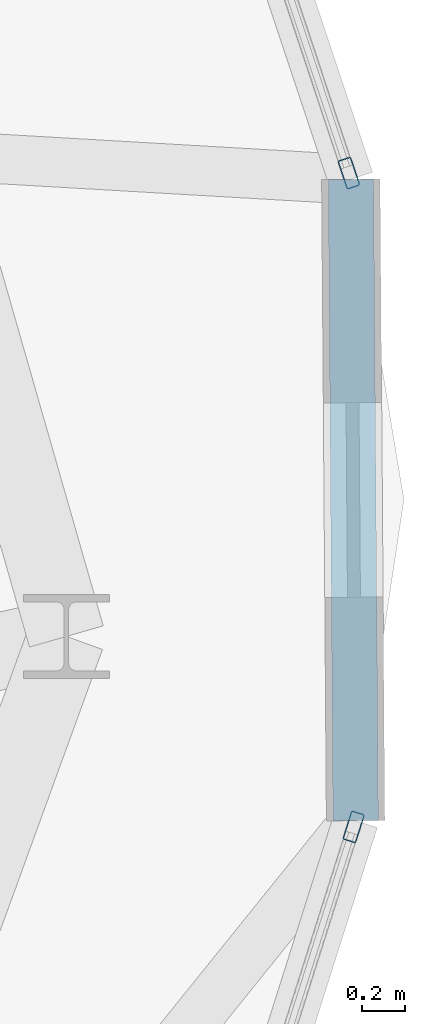
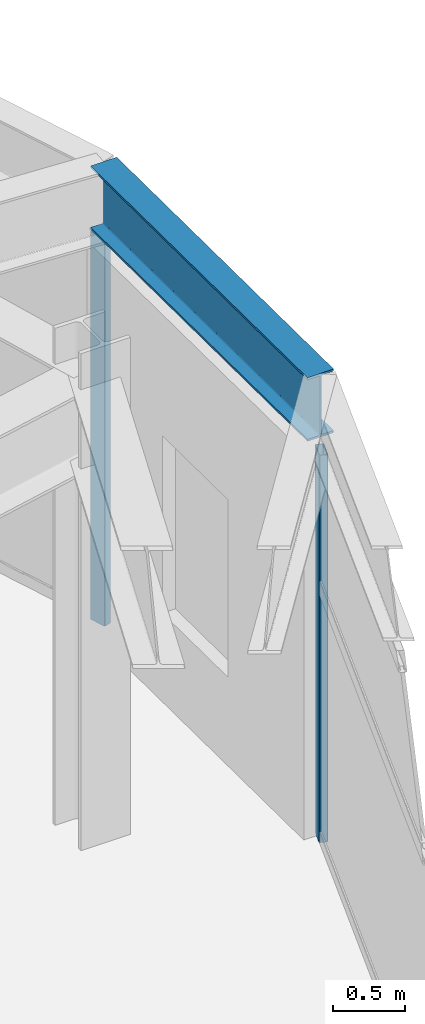
# One storey, part 15 of 22: 2 members, 1 beam, 2 elements without a shape of their own.
"""IFC4 building model written with IfcOpenShell, lengths in metres."""

from ifc_helpers import new_model, si_unit, direction, frame, origin, origin_2d, place, context, subcontext, project, spatial, hollow_rectangle, i_section, extrude, material, layer, layer_set, material_profile, profile_set, type_object, element, aggregate, save


model = new_model("IFC4")

# Units and contexts
model_context = context("Model", 3, precision=1e-05, world=origin(), true_north=direction((0.0, 1.0)))
body_context = subcontext(model_context, "Body", "Model", "MODEL_VIEW")
ifc_project = project(units=[si_unit("LENGTHUNIT", "METRE"), si_unit("AREAUNIT", "SQUARE_METRE"), si_unit("VOLUMEUNIT", "CUBIC_METRE"), si_unit("PLANEANGLEUNIT", "RADIAN"), si_unit("MASSUNIT", "GRAM", prefix="KILO")], contexts=[model_context])

# Site, building, storey
site_placement = place(None, origin())
site = spatial("IfcSite", under=ifc_project, at=site_placement, CompositionType="ELEMENT")
building_placement = place(site_placement, origin())
building = spatial("IfcBuilding", under=site, at=building_placement, Name="Soratama Intermodal Tower", CompositionType="ELEMENT")
storey_placement = place(building_placement, frame((0.0, 0.0, 301.449951171875)))
storey = spatial("IfcBuildingStorey", under=building, at=storey_placement, Name="L76", CompositionType="ELEMENT", Elevation=301.449951171875)

# Beam
ifc_material_1 = material(Name="Structural steel ASTM A992 Grade 50", Category="steel")
ifc_material_profile_1 = material_profile(ifc_material_1, i_section(OverallWidth=0.2099609375, OverallDepth=0.537109375, WebThickness=0.010986328125, FlangeThickness=0.017333984375, FilletRadius=0.012939453125, at=origin_2d()), Name="W21X68")
ifc_profile_set_1 = profile_set([ifc_material_profile_1], Name="Structural steel ASTM A992 Grade 50")
beam_type = type_object("IfcBeamType", Name="BM-SPN-W21X68", PredefinedType="SPANDREL", material=ifc_profile_set_1)
beam_placement = place(storey_placement, frame((58.029052734375, 23.635009765625, 3.62646484375), z_axis=(-0.007407813858, 0.99997256177, 0.0), x_axis=(-0.99997256177, -0.007407813858, 0.0)))
element("IfcBeam", 1, at=beam_placement, inside=storey, type_object=beam_type, Name="BS-L76-CRN08", PredefinedType="SPANDREL", context=body_context, shape_type="SweptSolid", body=[
    extrude(i_section(OverallWidth=0.2099609375, OverallDepth=0.537109375, WebThickness=0.010986328125, FlangeThickness=0.017333984375, FilletRadius=0.012939453125, at=origin_2d()), origin(), (0.0, 0.0, 1.0), 2.966064453125),
])

# Curtain wall, member
ifc_material_2 = material(Name="Double-glazed aluminium curtain wall", Category="aluminium")
ifc_layer = layer(ifc_material_2, 0.159912109375)
ifc_layer_set = layer_set([ifc_layer], Name="Double-glazed aluminium curtain wall")
curtain_wall_type = type_object("IfcCurtainWallType", Name="CW-SYS-6", PredefinedType="NOTDEFINED", material=ifc_layer_set)
curtain_wall_1_placement = place(storey_placement, origin())
curtain_wall_1 = element("IfcCurtainWall", 2, at=curtain_wall_1_placement, inside=storey, type_object=curtain_wall_type, Name="L76 Faceted Curtain Wall F08", PredefinedType="NOTDEFINED")
ifc_material_3 = material(Name="Anodised aluminium AA 6063-T6", Category="aluminium")
ifc_material_profile_2 = material_profile(ifc_material_3, hollow_rectangle(XDim=0.06494140625, YDim=0.139892578125, WallThickness=0.0048828125, InnerFilletRadius=0.0048828125, OuterFilletRadius=0.010009765625, at=origin_2d()), Name="CWM140X65X5")
ifc_profile_set_2 = profile_set([ifc_material_profile_2], Name="Anodised aluminium AA 6063-T6")
member_type = type_object("IfcMemberType", Name="MT-CWM-6", PredefinedType="MULLION", material=ifc_profile_set_2)
member_1_placement = place(storey_placement, frame((58.01953125, 23.606201171875, 0.0), z_axis=(0.0, 0.0, 1.0), x_axis=(-0.953296061555, 0.302037446393, 0.0)))
member_1 = element("IfcMember", 3, at=member_1_placement, type_object=member_type, Name="CW-6 mullion 2", PredefinedType="MULLION", context=body_context, shape_type="SweptSolid", body=[
    extrude(hollow_rectangle(XDim=0.06494140625, YDim=0.139892578125, WallThickness=0.0048828125, InnerFilletRadius=0.0048828125, OuterFilletRadius=0.010009765625, at=origin_2d()), origin(), (0.0, 0.0, 1.0), 3.274169921875),
])
aggregate(curtain_wall_1, [member_1])

curtain_wall_2_placement = place(storey_placement, origin())
curtain_wall_2 = element("IfcCurtainWall", 4, at=curtain_wall_2_placement, inside=storey, type_object=curtain_wall_type, Name="L76 Faceted Curtain Wall F09", PredefinedType="NOTDEFINED")
member_2_placement = place(storey_placement, frame((57.997314453125, 26.6298828125, 0.0), z_axis=(0.0, 0.0, 1.0), x_axis=(-0.948767296909, -0.315975657791, 0.0)))
member_2 = element("IfcMember", 5, at=member_2_placement, type_object=member_type, Name="CW-6 mullion 1", PredefinedType="MULLION", context=body_context, shape_type="SweptSolid", body=[
    extrude(hollow_rectangle(XDim=0.06494140625, YDim=0.139892578125, WallThickness=0.0048828125, InnerFilletRadius=0.0048828125, OuterFilletRadius=0.010009765625, at=origin_2d()), origin(), (0.0, 0.0, 1.0), 3.274169921875),
])
aggregate(curtain_wall_2, [member_2])

save(model, "model.ifc")
